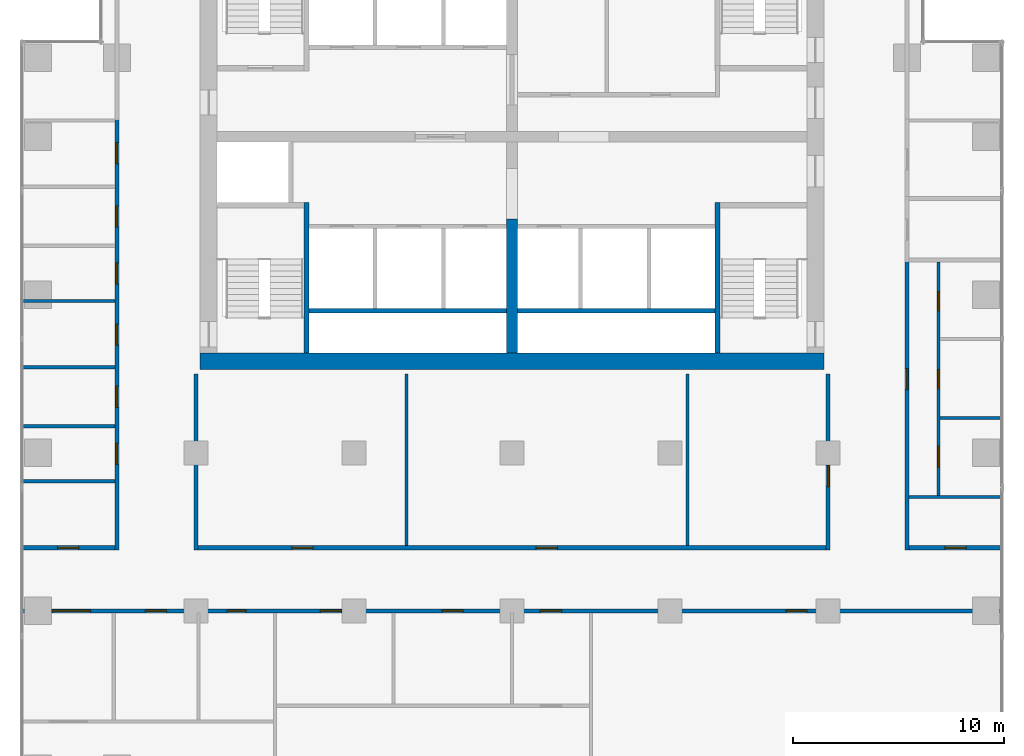
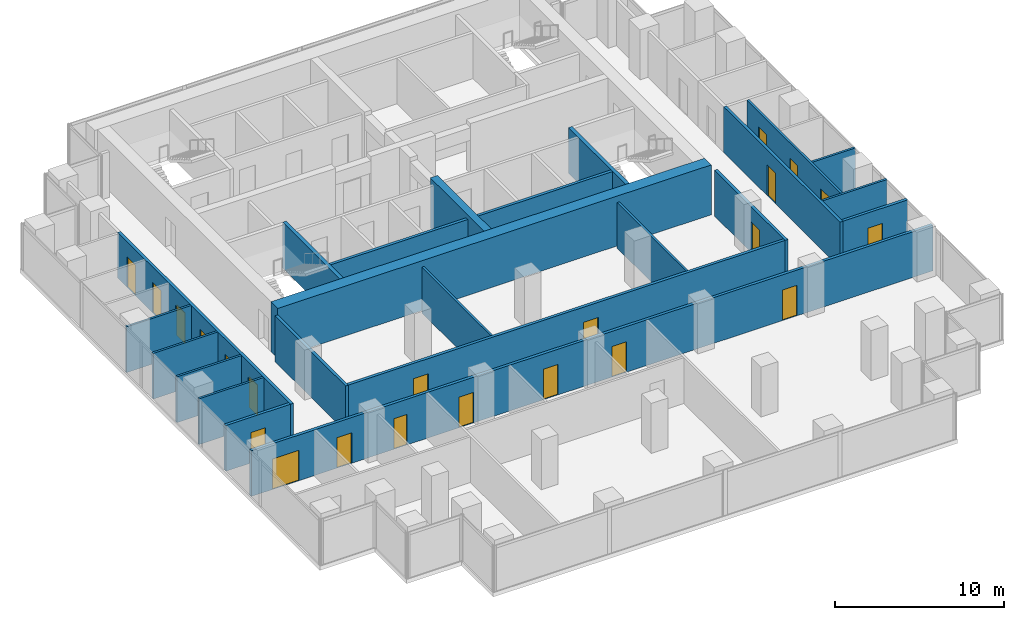
# One storey, part 7 of 10: 23 walls, 22 doors, 22 openings.
"""IFC4 building model written with IfcOpenShell, lengths in metres."""

from ifc_helpers import new_model, si_unit, direction, frame, frame_2d, origin, place, context, subcontext, project, spatial, rectangle, extrude, material, layer, layer_set, type_object, element, fill, save


model = new_model("IFC4")

# Units and contexts
model_context = context("Model", 3, precision=1e-05, world=origin(), true_north=direction((0.0, 1.0)))
body_context = subcontext(model_context, "Body", "Model", "MODEL_VIEW")
ifc_project = project(units=[si_unit("LENGTHUNIT", "METRE"), si_unit("AREAUNIT", "SQUARE_METRE"), si_unit("VOLUMEUNIT", "CUBIC_METRE"), si_unit("PLANEANGLEUNIT", "RADIAN"), si_unit("MASSUNIT", "GRAM", prefix="KILO")], contexts=[model_context])

# Site, building, storey
site_placement = place(None, origin())
site = spatial("IfcSite", under=ifc_project, at=site_placement, CompositionType="ELEMENT")
building_placement = place(site_placement, origin())
building = spatial("IfcBuilding", under=site, at=building_placement, Name="Pilkhan Gate Tower", CompositionType="ELEMENT")
storey_placement = place(building_placement, frame((0.0, 0.0, 128.800048828125)))
storey = spatial("IfcBuildingStorey", under=building, at=storey_placement, Name="L32", CompositionType="ELEMENT", Elevation=128.800048828125)

# Wall
ifc_material_1 = material(Name="Concrete C60/75", Category="concrete")
ifc_layer_1 = layer(ifc_material_1, 0.800048828125)
ifc_layer_set_1 = layer_set([ifc_layer_1], Name="Core wall CW800 C60/75")
wall_type_1 = type_object("IfcWallType", Name="Core wall CW800 C60/75", PredefinedType="SHEAR", material=ifc_layer_set_1)
wall_1_placement = place(storey_placement, frame((60.199951171875, 71.85009765625, 0.0), z_axis=(0.0, 0.0, 1.0), x_axis=(1.0, 0.0, 0.0)))
element("IfcWall", 1, at=wall_1_placement, inside=storey, type_object=wall_type_1, Name="Core wall S L32", PredefinedType="SHEAR", context=body_context, shape_type="SweptSolid", body=[
    extrude(rectangle(XDim=29.60009765625, YDim=0.800048828125, at=frame_2d((14.800048828125, 0.0))), origin(), (0.0, 0.0, 1.0), 3.599853515625),
])

# Wall, openings, doors
ifc_material_2 = material(Name="Dense blockwork", Category="masonry")
ifc_layer_2 = layer(ifc_material_2, 0.199951171875)
ifc_layer_set_2 = layer_set([ifc_layer_2], Name="Corridor wall FW200")
wall_type_2 = type_object("IfcWallType", Name="Corridor wall FW200", PredefinedType="PARTITIONING", material=ifc_layer_set_2)
wall_2_placement = place(storey_placement, frame((51.735107421875, 60.0, 0.0), z_axis=(0.0, 0.0, 1.0), x_axis=(1.0, 0.0, 0.0)))
wall_2 = element("IfcWall", 2, at=wall_2_placement, inside=storey, type_object=wall_type_2, Name="Partition L32", PredefinedType="PARTITIONING", context=body_context, shape_type="SweptSolid", body=[
    extrude(rectangle(XDim=46.52978515625, YDim=0.199951171875, at=frame_2d((23.264892578125, 0.0))), origin(), (0.0, 0.0, 1.0), 3.300048828125),
])
opening_1_placement = place(wall_2_placement, frame((24.614990234375, 0.0, 0.0)))
opening_1 = element("IfcOpeningElement", 3, at=opening_1_placement, cuts=wall_2, Name="Opening L32-06", PredefinedType="OPENING", context=body_context, shape_type="SweptSolid", body=[
    extrude(rectangle(XDim=1.0, YDim=2.199951171875, at=frame_2d((0.5, 1.10009765625))), frame((0.0, 0.10986328125, 0.0), z_axis=(0.0, -1.0, 0.0), x_axis=(1.0, 0.0, 0.0)), (0.0, 0.0, 1.0), 0.219970703125),
])
opening_2_placement = place(wall_2_placement, frame((1.449951171875, 0.0, 0.0)))
opening_2 = element("IfcOpeningElement", 4, at=opening_2_placement, cuts=wall_2, Name="Opening L32-17", PredefinedType="OPENING", context=body_context, shape_type="SweptSolid", body=[
    extrude(rectangle(XDim=1.800048828125, YDim=2.199951171875, at=frame_2d((0.89990234375, 1.10009765625))), frame((0.0, 0.10986328125, 0.0), z_axis=(0.0, -1.0, 0.0), x_axis=(1.0, 0.0, 0.0)), (0.0, 0.0, 1.0), 0.219970703125),
])
opening_3_placement = place(wall_2_placement, frame((5.864990234375, 0.0, 0.0)))
opening_3 = element("IfcOpeningElement", 5, at=opening_3_placement, cuts=wall_2, Name="Opening L32-18", PredefinedType="OPENING", context=body_context, shape_type="SweptSolid", body=[
    extrude(rectangle(XDim=1.0, YDim=2.199951171875, at=frame_2d((0.5, 1.10009765625))), frame((0.0, 0.10986328125, 0.0), z_axis=(0.0, -1.0, 0.0), x_axis=(1.0, 0.0, 0.0)), (0.0, 0.0, 1.0), 0.219970703125),
])
opening_4_placement = place(wall_2_placement, frame((9.740966796875, 0.0, 0.0)))
opening_4 = element("IfcOpeningElement", 6, at=opening_4_placement, cuts=wall_2, Name="Opening L32-19", PredefinedType="OPENING", context=body_context, shape_type="SweptSolid", body=[
    extrude(rectangle(XDim=0.89990234375, YDim=2.199951171875, at=frame_2d((0.449951171875, 1.10009765625))), frame((0.0, 0.10986328125, 0.0), z_axis=(0.0, -1.0, 0.0), x_axis=(1.0, 0.0, 0.0)), (0.0, 0.0, 1.0), 0.219970703125),
])
opening_5_placement = place(wall_2_placement, frame((14.1650390625, 0.0, 0.0)))
opening_5 = element("IfcOpeningElement", 7, at=opening_5_placement, cuts=wall_2, Name="Opening L32-21", PredefinedType="OPENING", context=body_context, shape_type="SweptSolid", body=[
    extrude(rectangle(XDim=1.0, YDim=2.199951171875, at=frame_2d((0.5, 1.10009765625))), frame((0.0, 0.10986328125, 0.0), z_axis=(0.0, -1.0, 0.0), x_axis=(1.0, 0.0, 0.0)), (0.0, 0.0, 1.0), 0.219970703125),
])
opening_6_placement = place(wall_2_placement, frame((19.93994140625, 0.0, 0.0)))
opening_6 = element("IfcOpeningElement", 8, at=opening_6_placement, cuts=wall_2, Name="Opening L32-22", PredefinedType="OPENING", context=body_context, shape_type="SweptSolid", body=[
    extrude(rectangle(XDim=1.0, YDim=2.199951171875, at=frame_2d((0.5, 1.10009765625))), frame((0.0, 0.10986328125, 0.0), z_axis=(0.0, -1.0, 0.0), x_axis=(1.0, 0.0, 0.0)), (0.0, 0.0, 1.0), 0.219970703125),
])
opening_7_placement = place(wall_2_placement, frame((36.264892578125, 0.0, 0.0)))
opening_7 = element("IfcOpeningElement", 9, at=opening_7_placement, cuts=wall_2, Name="Opening L32-24", PredefinedType="OPENING", context=body_context, shape_type="SweptSolid", body=[
    extrude(rectangle(XDim=1.0, YDim=2.199951171875, at=frame_2d((0.5, 1.10009765625))), frame((0.0, 0.10986328125, 0.0), z_axis=(0.0, -1.0, 0.0), x_axis=(1.0, 0.0, 0.0)), (0.0, 0.0, 1.0), 0.219970703125),
])
ifc_material_3 = material(Name="Timber glazed double door, 30 minute fire resisting", Category="wood")
door_type_1 = type_object("IfcDoorType", Name="Double door D04 1800x2200", OperationType="DOUBLE_DOOR_SINGLE_SWING", PredefinedType="DOOR", material=ifc_material_3)
door_1_placement = place(opening_2_placement, origin())
door_1 = element("IfcDoor", 10, at=door_1_placement, inside=storey, type_object=door_type_1, Name="Double door", OperationType="DOUBLE_DOOR_SINGLE_SWING", OverallHeight=2.199951171875, OverallWidth=1.800048828125, PredefinedType="DOOR", context=body_context, shape_type="SweptSolid", body=[
    extrude(rectangle(XDim=1.800048828125, YDim=2.199951171875, at=frame_2d((0.89990234375, 1.10009765625))), frame((0.0, 0.02490234375, 0.0), z_axis=(0.0, -1.0, 0.0), x_axis=(1.0, 0.0, 0.0)), (0.0, 0.0, 1.0), 0.050048828125),
])
fill(opening_2, door_1)
ifc_material_4 = material(Name="Timber flush door, 30 minute fire resisting", Category="wood")
door_type_2 = type_object("IfcDoorType", Name="Room door D03 1000x2200", OperationType="SINGLE_SWING_LEFT", PredefinedType="DOOR", material=ifc_material_4)
door_2_placement = place(opening_1_placement, origin())
door_2 = element("IfcDoor", 11, at=door_2_placement, inside=storey, type_object=door_type_2, Name="Room door", OperationType="SINGLE_SWING_RIGHT", OverallHeight=2.199951171875, OverallWidth=1.0, PredefinedType="DOOR", context=body_context, shape_type="SweptSolid", body=[
    extrude(rectangle(XDim=1.0, YDim=2.199951171875, at=frame_2d((0.5, 1.10009765625))), frame((0.0, 0.02490234375, 0.0), z_axis=(0.0, -1.0, 0.0), x_axis=(1.0, 0.0, 0.0)), (0.0, 0.0, 1.0), 0.050048828125),
])
fill(opening_1, door_2)
door_3_placement = place(opening_3_placement, origin())
door_3 = element("IfcDoor", 12, at=door_3_placement, inside=storey, type_object=door_type_2, Name="Room door", OperationType="SINGLE_SWING_LEFT", OverallHeight=2.199951171875, OverallWidth=1.0, PredefinedType="DOOR", context=body_context, shape_type="SweptSolid", body=[
    extrude(rectangle(XDim=1.0, YDim=2.199951171875, at=frame_2d((0.5, 1.10009765625))), frame((0.0, 0.02490234375, 0.0), z_axis=(0.0, -1.0, 0.0), x_axis=(1.0, 0.0, 0.0)), (0.0, 0.0, 1.0), 0.050048828125),
])
fill(opening_3, door_3)
door_4_placement = place(opening_5_placement, origin())
door_4 = element("IfcDoor", 13, at=door_4_placement, inside=storey, type_object=door_type_2, Name="Room door", OperationType="SINGLE_SWING_LEFT", OverallHeight=2.199951171875, OverallWidth=1.0, PredefinedType="DOOR", context=body_context, shape_type="SweptSolid", body=[
    extrude(rectangle(XDim=1.0, YDim=2.199951171875, at=frame_2d((0.5, 1.10009765625))), frame((0.0, 0.02490234375, 0.0), z_axis=(0.0, -1.0, 0.0), x_axis=(1.0, 0.0, 0.0)), (0.0, 0.0, 1.0), 0.050048828125),
])
fill(opening_5, door_4)
door_5_placement = place(opening_6_placement, origin())
door_5 = element("IfcDoor", 14, at=door_5_placement, inside=storey, type_object=door_type_2, Name="Room door", OperationType="SINGLE_SWING_LEFT", OverallHeight=2.199951171875, OverallWidth=1.0, PredefinedType="DOOR", context=body_context, shape_type="SweptSolid", body=[
    extrude(rectangle(XDim=1.0, YDim=2.199951171875, at=frame_2d((0.5, 1.10009765625))), frame((0.0, 0.02490234375, 0.0), z_axis=(0.0, -1.0, 0.0), x_axis=(1.0, 0.0, 0.0)), (0.0, 0.0, 1.0), 0.050048828125),
])
fill(opening_6, door_5)
door_6_placement = place(opening_7_placement, origin())
door_6 = element("IfcDoor", 15, at=door_6_placement, inside=storey, type_object=door_type_2, Name="Room door", OperationType="SINGLE_SWING_RIGHT", OverallHeight=2.199951171875, OverallWidth=1.0, PredefinedType="DOOR", context=body_context, shape_type="SweptSolid", body=[
    extrude(rectangle(XDim=1.0, YDim=2.199951171875, at=frame_2d((0.5, 1.10009765625))), frame((0.0, 0.02490234375, 0.0), z_axis=(0.0, -1.0, 0.0), x_axis=(1.0, 0.0, 0.0)), (0.0, 0.0, 1.0), 0.050048828125),
])
fill(opening_7, door_6)
ifc_material_5 = material(Name="Timber flush door, 60 minute fire resisting, self-closing", Category="wood")
door_type_3 = type_object("IfcDoorType", Name="Store door D05 900x2200", OperationType="SINGLE_SWING_LEFT", PredefinedType="DOOR", material=ifc_material_5)
door_7_placement = place(opening_4_placement, origin())
door_7 = element("IfcDoor", 16, at=door_7_placement, inside=storey, type_object=door_type_3, Name="Store door", OperationType="SINGLE_SWING_LEFT", OverallHeight=2.199951171875, OverallWidth=0.89990234375, PredefinedType="DOOR", context=body_context, shape_type="SweptSolid", body=[
    extrude(rectangle(XDim=0.89990234375, YDim=2.199951171875, at=frame_2d((0.449951171875, 1.10009765625))), frame((0.0, 0.02490234375, 0.0), z_axis=(0.0, -1.0, 0.0), x_axis=(1.0, 0.0, 0.0)), (0.0, 0.0, 1.0), 0.050048828125),
])
fill(opening_4, door_7)

# Wall, opening, door
wall_3_placement = place(storey_placement, frame((51.735107421875, 63.0, 0.0), z_axis=(0.0, 0.0, 1.0), x_axis=(1.0, 0.0, 0.0)))
wall_3 = element("IfcWall", 17, at=wall_3_placement, inside=storey, type_object=wall_type_2, Name="Partition L32", PredefinedType="PARTITIONING", context=body_context, shape_type="SweptSolid", body=[
    extrude(rectangle(XDim=4.414794921875, YDim=0.199951171875, at=frame_2d((2.20751953125, 0.0))), origin(), (0.0, 0.0, 1.0), 3.300048828125),
])
opening_8_placement = place(wall_3_placement, frame((1.699951171875, 0.0, 0.0)))
opening_8 = element("IfcOpeningElement", 18, at=opening_8_placement, cuts=wall_3, Name="Opening L32-07", PredefinedType="OPENING", context=body_context, shape_type="SweptSolid", body=[
    extrude(rectangle(XDim=1.0, YDim=2.199951171875, at=frame_2d((0.5, 1.10009765625))), frame((0.0, 0.10986328125, 0.0), z_axis=(0.0, -1.0, 0.0), x_axis=(1.0, 0.0, 0.0)), (0.0, 0.0, 1.0), 0.219970703125),
])
door_8_placement = place(opening_8_placement, origin())
door_8 = element("IfcDoor", 19, at=door_8_placement, inside=storey, type_object=door_type_2, Name="Room door", OperationType="SINGLE_SWING_RIGHT", OverallHeight=2.199951171875, OverallWidth=1.0, PredefinedType="DOOR", context=body_context, shape_type="SweptSolid", body=[
    extrude(rectangle(XDim=1.0, YDim=2.199951171875, at=frame_2d((0.5, 1.10009765625))), frame((0.0, 0.02490234375, 0.0), z_axis=(0.0, -1.0, 0.0), x_axis=(1.0, 0.0, 0.0)), (0.0, 0.0, 1.0), 0.050048828125),
])
fill(opening_8, door_8)

# Wall, openings, doors
wall_4_placement = place(storey_placement, frame((60.10009765625, 63.0, 0.0), z_axis=(0.0, 0.0, 1.0), x_axis=(1.0, 0.0, 0.0)))
wall_4 = element("IfcWall", 20, at=wall_4_placement, inside=storey, type_object=wall_type_2, Name="Partition L32", PredefinedType="PARTITIONING", context=body_context, shape_type="SweptSolid", body=[
    extrude(rectangle(XDim=29.7998046875, YDim=0.199951171875, at=frame_2d((14.89990234375, 0.0))), origin(), (0.0, 0.0, 1.0), 3.300048828125),
])
opening_9_placement = place(wall_4_placement, frame((4.449951171875, 0.0, 0.0)))
opening_9 = element("IfcOpeningElement", 21, at=opening_9_placement, cuts=wall_4, Name="Opening L32-34", PredefinedType="OPENING", context=body_context, shape_type="SweptSolid", body=[
    extrude(rectangle(XDim=1.0, YDim=2.199951171875, at=frame_2d((0.5, 1.10009765625))), frame((0.0, 0.10986328125, 0.0), z_axis=(0.0, -1.0, 0.0), x_axis=(1.0, 0.0, 0.0)), (0.0, 0.0, 1.0), 0.219970703125),
])
opening_10_placement = place(wall_4_placement, frame((16.050048828125, 0.0, 0.0)))
opening_10 = element("IfcOpeningElement", 22, at=opening_10_placement, cuts=wall_4, Name="Opening L32-35", PredefinedType="OPENING", context=body_context, shape_type="SweptSolid", body=[
    extrude(rectangle(XDim=1.0, YDim=2.199951171875, at=frame_2d((0.5, 1.10009765625))), frame((0.0, 0.10986328125, 0.0), z_axis=(0.0, -1.0, 0.0), x_axis=(1.0, 0.0, 0.0)), (0.0, 0.0, 1.0), 0.219970703125),
])
door_9_placement = place(opening_9_placement, origin())
door_9 = element("IfcDoor", 23, at=door_9_placement, inside=storey, type_object=door_type_2, Name="Room door", OperationType="SINGLE_SWING_LEFT", OverallHeight=2.199951171875, OverallWidth=1.0, PredefinedType="DOOR", context=body_context, shape_type="SweptSolid", body=[
    extrude(rectangle(XDim=1.0, YDim=2.199951171875, at=frame_2d((0.5, 1.10009765625))), frame((0.0, 0.02490234375, 0.0), z_axis=(0.0, -1.0, 0.0), x_axis=(1.0, 0.0, 0.0)), (0.0, 0.0, 1.0), 0.050048828125),
])
fill(opening_9, door_9)
door_10_placement = place(opening_10_placement, origin())
door_10 = element("IfcDoor", 24, at=door_10_placement, inside=storey, type_object=door_type_2, Name="Room door", OperationType="SINGLE_SWING_LEFT", OverallHeight=2.199951171875, OverallWidth=1.0, PredefinedType="DOOR", context=body_context, shape_type="SweptSolid", body=[
    extrude(rectangle(XDim=1.0, YDim=2.199951171875, at=frame_2d((0.5, 1.10009765625))), frame((0.0, 0.02490234375, 0.0), z_axis=(0.0, -1.0, 0.0), x_axis=(1.0, 0.0, 0.0)), (0.0, 0.0, 1.0), 0.050048828125),
])
fill(opening_10, door_10)

# Wall, opening, door
wall_5_placement = place(storey_placement, frame((93.85009765625, 63.0, 0.0), z_axis=(0.0, 0.0, 1.0), x_axis=(1.0, 0.0, 0.0)))
wall_5 = element("IfcWall", 25, at=wall_5_placement, inside=storey, type_object=wall_type_2, Name="Partition L32", PredefinedType="PARTITIONING", context=body_context, shape_type="SweptSolid", body=[
    extrude(rectangle(XDim=4.414794921875, YDim=0.199951171875, at=frame_2d((2.20751953125, 0.0))), origin(), (0.0, 0.0, 1.0), 3.300048828125),
])
opening_11_placement = place(wall_5_placement, frame((1.699951171875, 0.0, 0.0)))
opening_11 = element("IfcOpeningElement", 26, at=opening_11_placement, cuts=wall_5, Name="Opening L32-32", PredefinedType="OPENING", context=body_context, shape_type="SweptSolid", body=[
    extrude(rectangle(XDim=1.0, YDim=2.199951171875, at=frame_2d((0.5, 1.10009765625))), frame((0.0, 0.10986328125, 0.0), z_axis=(0.0, -1.0, 0.0), x_axis=(1.0, 0.0, 0.0)), (0.0, 0.0, 1.0), 0.219970703125),
])
door_11_placement = place(opening_11_placement, origin())
door_11 = element("IfcDoor", 27, at=door_11_placement, inside=storey, type_object=door_type_2, Name="Room door", OperationType="SINGLE_SWING_LEFT", OverallHeight=2.199951171875, OverallWidth=1.0, PredefinedType="DOOR", context=body_context, shape_type="SweptSolid", body=[
    extrude(rectangle(XDim=1.0, YDim=2.199951171875, at=frame_2d((0.5, 1.10009765625))), frame((0.0, 0.02490234375, 0.0), z_axis=(0.0, -1.0, 0.0), x_axis=(1.0, 0.0, 0.0)), (0.0, 0.0, 1.0), 0.050048828125),
])
fill(opening_11, door_11)

# Wall, openings, doors
wall_6_placement = place(storey_placement, frame((56.25, 62.89990234375, 0.0), z_axis=(0.0, 0.0, 1.0), x_axis=(0.0, 1.0, 0.0)))
wall_6 = element("IfcWall", 28, at=wall_6_placement, inside=storey, type_object=wall_type_2, Name="Partition L32", PredefinedType="PARTITIONING", context=body_context, shape_type="SweptSolid", body=[
    extrude(rectangle(XDim=20.455078125, YDim=0.199951171875, at=frame_2d((10.2275390625, 0.0))), origin(), (0.0, 0.0, 1.0), 3.300048828125),
])
opening_12_placement = place(wall_6_placement, frame((9.715087890625, 0.0, 0.0)))
opening_12 = element("IfcOpeningElement", 29, at=opening_12_placement, cuts=wall_6, Name="Opening L32-08", PredefinedType="OPENING", context=body_context, shape_type="SweptSolid", body=[
    extrude(rectangle(XDim=1.0, YDim=2.199951171875, at=frame_2d((0.5, 1.10009765625))), frame((0.0, 0.10986328125, 0.0), z_axis=(0.0, -1.0, 0.0), x_axis=(1.0, 0.0, 0.0)), (0.0, 0.0, 1.0), 0.219970703125),
])
opening_13_placement = place(wall_6_placement, frame((18.3291015625, 0.0, 0.0)))
opening_13 = element("IfcOpeningElement", 30, at=opening_13_placement, cuts=wall_6, Name="Opening L32-09", PredefinedType="OPENING", context=body_context, shape_type="SweptSolid", body=[
    extrude(rectangle(XDim=1.0, YDim=2.199951171875, at=frame_2d((0.5, 1.10009765625))), frame((0.0, 0.10986328125, 0.0), z_axis=(0.0, -1.0, 0.0), x_axis=(1.0, 0.0, 0.0)), (0.0, 0.0, 1.0), 0.219970703125),
])
opening_14_placement = place(wall_6_placement, frame((4.051025390625, 0.0, 0.0)))
opening_14 = element("IfcOpeningElement", 31, at=opening_14_placement, cuts=wall_6, Name="Opening L32-25", PredefinedType="OPENING", context=body_context, shape_type="SweptSolid", body=[
    extrude(rectangle(XDim=1.0, YDim=2.199951171875, at=frame_2d((0.5, 1.10009765625))), frame((0.0, 0.10986328125, 0.0), z_axis=(0.0, -1.0, 0.0), x_axis=(1.0, 0.0, 0.0)), (0.0, 0.0, 1.0), 0.219970703125),
])
opening_15_placement = place(wall_6_placement, frame((6.763916015625, 0.0, 0.0)))
opening_15 = element("IfcOpeningElement", 32, at=opening_15_placement, cuts=wall_6, Name="Opening L32-26", PredefinedType="OPENING", context=body_context, shape_type="SweptSolid", body=[
    extrude(rectangle(XDim=1.0, YDim=2.199951171875, at=frame_2d((0.5, 1.10009765625))), frame((0.0, 0.10986328125, 0.0), z_axis=(0.0, -1.0, 0.0), x_axis=(1.0, 0.0, 0.0)), (0.0, 0.0, 1.0), 0.219970703125),
])
opening_16_placement = place(wall_6_placement, frame((12.614990234375, 0.0, 0.0)))
opening_16 = element("IfcOpeningElement", 33, at=opening_16_placement, cuts=wall_6, Name="Opening L32-27", PredefinedType="OPENING", context=body_context, shape_type="SweptSolid", body=[
    extrude(rectangle(XDim=1.0, YDim=2.199951171875, at=frame_2d((0.5, 1.10009765625))), frame((0.0, 0.10986328125, 0.0), z_axis=(0.0, -1.0, 0.0), x_axis=(1.0, 0.0, 0.0)), (0.0, 0.0, 1.0), 0.219970703125),
])
opening_17_placement = place(wall_6_placement, frame((15.3291015625, 0.0, 0.0)))
opening_17 = element("IfcOpeningElement", 34, at=opening_17_placement, cuts=wall_6, Name="Opening L32-28", PredefinedType="OPENING", context=body_context, shape_type="SweptSolid", body=[
    extrude(rectangle(XDim=1.0, YDim=2.199951171875, at=frame_2d((0.5, 1.10009765625))), frame((0.0, 0.10986328125, 0.0), z_axis=(0.0, -1.0, 0.0), x_axis=(1.0, 0.0, 0.0)), (0.0, 0.0, 1.0), 0.219970703125),
])
door_12_placement = place(opening_12_placement, origin())
door_12 = element("IfcDoor", 35, at=door_12_placement, inside=storey, type_object=door_type_2, Name="Room door", OperationType="SINGLE_SWING_LEFT", OverallHeight=2.199951171875, OverallWidth=1.0, PredefinedType="DOOR", context=body_context, shape_type="SweptSolid", body=[
    extrude(rectangle(XDim=1.0, YDim=2.199951171875, at=frame_2d((0.5, 1.10009765625))), frame((0.0, 0.02490234375, 0.0), z_axis=(0.0, -1.0, 0.0), x_axis=(1.0, 0.0, 0.0)), (0.0, 0.0, 1.0), 0.050048828125),
])
fill(opening_12, door_12)
door_13_placement = place(opening_13_placement, origin())
door_13 = element("IfcDoor", 36, at=door_13_placement, inside=storey, type_object=door_type_2, Name="Room door", OperationType="SINGLE_SWING_LEFT", OverallHeight=2.199951171875, OverallWidth=1.0, PredefinedType="DOOR", context=body_context, shape_type="SweptSolid", body=[
    extrude(rectangle(XDim=1.0, YDim=2.199951171875, at=frame_2d((0.5, 1.10009765625))), frame((0.0, 0.02490234375, 0.0), z_axis=(0.0, -1.0, 0.0), x_axis=(1.0, 0.0, 0.0)), (0.0, 0.0, 1.0), 0.050048828125),
])
fill(opening_13, door_13)
door_14_placement = place(opening_14_placement, origin())
door_14 = element("IfcDoor", 37, at=door_14_placement, inside=storey, type_object=door_type_2, Name="Room door", OperationType="SINGLE_SWING_LEFT", OverallHeight=2.199951171875, OverallWidth=1.0, PredefinedType="DOOR", context=body_context, shape_type="SweptSolid", body=[
    extrude(rectangle(XDim=1.0, YDim=2.199951171875, at=frame_2d((0.5, 1.10009765625))), frame((0.0, 0.02490234375, 0.0), z_axis=(0.0, -1.0, 0.0), x_axis=(1.0, 0.0, 0.0)), (0.0, 0.0, 1.0), 0.050048828125),
])
fill(opening_14, door_14)
door_15_placement = place(opening_15_placement, origin())
door_15 = element("IfcDoor", 38, at=door_15_placement, inside=storey, type_object=door_type_2, Name="Room door", OperationType="SINGLE_SWING_LEFT", OverallHeight=2.199951171875, OverallWidth=1.0, PredefinedType="DOOR", context=body_context, shape_type="SweptSolid", body=[
    extrude(rectangle(XDim=1.0, YDim=2.199951171875, at=frame_2d((0.5, 1.10009765625))), frame((0.0, 0.02490234375, 0.0), z_axis=(0.0, -1.0, 0.0), x_axis=(1.0, 0.0, 0.0)), (0.0, 0.0, 1.0), 0.050048828125),
])
fill(opening_15, door_15)
door_16_placement = place(opening_16_placement, origin())
door_16 = element("IfcDoor", 39, at=door_16_placement, inside=storey, type_object=door_type_2, Name="Room door", OperationType="SINGLE_SWING_LEFT", OverallHeight=2.199951171875, OverallWidth=1.0, PredefinedType="DOOR", context=body_context, shape_type="SweptSolid", body=[
    extrude(rectangle(XDim=1.0, YDim=2.199951171875, at=frame_2d((0.5, 1.10009765625))), frame((0.0, 0.02490234375, 0.0), z_axis=(0.0, -1.0, 0.0), x_axis=(1.0, 0.0, 0.0)), (0.0, 0.0, 1.0), 0.050048828125),
])
fill(opening_16, door_16)
door_17_placement = place(opening_17_placement, origin())
door_17 = element("IfcDoor", 40, at=door_17_placement, inside=storey, type_object=door_type_2, Name="Room door", OperationType="SINGLE_SWING_LEFT", OverallHeight=2.199951171875, OverallWidth=1.0, PredefinedType="DOOR", context=body_context, shape_type="SweptSolid", body=[
    extrude(rectangle(XDim=1.0, YDim=2.199951171875, at=frame_2d((0.5, 1.10009765625))), frame((0.0, 0.02490234375, 0.0), z_axis=(0.0, -1.0, 0.0), x_axis=(1.0, 0.0, 0.0)), (0.0, 0.0, 1.0), 0.050048828125),
])
fill(opening_17, door_17)

# Wall
wall_7_placement = place(storey_placement, frame((60.0, 62.89990234375, 0.0), z_axis=(0.0, 0.0, 1.0), x_axis=(0.0, 1.0, 0.0)))
element("IfcWall", 41, at=wall_7_placement, inside=storey, type_object=wall_type_2, Name="Partition L32", PredefinedType="PARTITIONING", context=body_context, shape_type="SweptSolid", body=[
    extrude(rectangle(XDim=8.35009765625, YDim=0.199951171875, at=frame_2d((4.175048828125, 0.0))), origin(), (0.0, 0.0, 1.0), 3.300048828125),
])

# Wall, opening, door
wall_8_placement = place(storey_placement, frame((90.0, 62.89990234375, 0.0), z_axis=(0.0, 0.0, 1.0), x_axis=(0.0, 1.0, 0.0)))
wall_8 = element("IfcWall", 42, at=wall_8_placement, inside=storey, type_object=wall_type_2, Name="Partition L32", PredefinedType="PARTITIONING", context=body_context, shape_type="SweptSolid", body=[
    extrude(rectangle(XDim=8.35009765625, YDim=0.199951171875, at=frame_2d((4.175048828125, 0.0))), origin(), (0.0, 0.0, 1.0), 3.300048828125),
])
opening_18_placement = place(wall_8_placement, frame((3.0, 0.0, 0.0)))
opening_18 = element("IfcOpeningElement", 43, at=opening_18_placement, cuts=wall_8, Name="Opening L32-36", PredefinedType="OPENING", context=body_context, shape_type="SweptSolid", body=[
    extrude(rectangle(XDim=1.0, YDim=2.199951171875, at=frame_2d((0.5, 1.10009765625))), frame((0.0, 0.10986328125, 0.0), z_axis=(0.0, -1.0, 0.0), x_axis=(1.0, 0.0, 0.0)), (0.0, 0.0, 1.0), 0.219970703125),
])
door_18_placement = place(opening_18_placement, origin())
door_18 = element("IfcDoor", 44, at=door_18_placement, inside=storey, type_object=door_type_2, Name="Room door", OperationType="SINGLE_SWING_RIGHT", OverallHeight=2.199951171875, OverallWidth=1.0, PredefinedType="DOOR", context=body_context, shape_type="SweptSolid", body=[
    extrude(rectangle(XDim=1.0, YDim=2.199951171875, at=frame_2d((0.5, 1.10009765625))), frame((0.0, 0.02490234375, 0.0), z_axis=(0.0, -1.0, 0.0), x_axis=(1.0, 0.0, 0.0)), (0.0, 0.0, 1.0), 0.050048828125),
])
fill(opening_18, door_18)

wall_9_placement = place(storey_placement, frame((93.75, 62.89990234375, 0.0), z_axis=(0.0, 0.0, 1.0), x_axis=(0.0, 1.0, 0.0)))
wall_9 = element("IfcWall", 45, at=wall_9_placement, inside=storey, type_object=wall_type_2, Name="Partition L32", PredefinedType="PARTITIONING", context=body_context, shape_type="SweptSolid", body=[
    extrude(rectangle(XDim=13.75, YDim=0.199951171875, at=frame_2d((6.875, 0.0))), origin(), (0.0, 0.0, 1.0), 3.300048828125),
])
opening_19_placement = place(wall_9_placement, frame((7.60009765625, 0.0, 0.0)))
opening_19 = element("IfcOpeningElement", 46, at=opening_19_placement, cuts=wall_9, Name="Opening L32-10", PredefinedType="OPENING", context=body_context, shape_type="SweptSolid", body=[
    extrude(rectangle(XDim=1.0, YDim=2.199951171875, at=frame_2d((0.5, 1.10009765625))), frame((0.0, 0.10986328125, 0.0), z_axis=(0.0, -1.0, 0.0), x_axis=(1.0, 0.0, 0.0)), (0.0, 0.0, 1.0), 0.219970703125),
])
door_19_placement = place(opening_19_placement, origin())
door_19 = element("IfcDoor", 47, at=door_19_placement, inside=storey, type_object=door_type_2, Name="Toilet lobby door", OperationType="SINGLE_SWING_LEFT", OverallHeight=2.199951171875, OverallWidth=1.0, PredefinedType="DOOR", context=body_context, shape_type="SweptSolid", body=[
    extrude(rectangle(XDim=1.0, YDim=2.199951171875, at=frame_2d((0.5, 1.10009765625))), frame((0.0, 0.02490234375, 0.0), z_axis=(0.0, -1.0, 0.0), x_axis=(1.0, 0.0, 0.0)), (0.0, 0.0, 1.0), 0.050048828125),
])
fill(opening_19, door_19)

# Walls
ifc_material_6 = material(Name="Blockwork partition, plastered both sides", Category="masonry")
ifc_layer_3 = layer(ifc_material_6, 0.14990234375)
ifc_layer_set_3 = layer_set([ifc_layer_3], Name="Partition PW150")
wall_type_3 = type_object("IfcWallType", Name="Partition PW150", PredefinedType="PARTITIONING", material=ifc_layer_set_3)
for number, where, z_axis, x_axis, name in (
    (48, (93.85009765625, 65.39990234375, 0.0), (0.0, 0.0, 1.0), (1.0, 0.0, 0.0), "Partition L32"),
    (49, (51.735107421875, 66.15087890625, 0.0), (0.0, 0.0, 1.0), (1.0, 0.0, 0.0), "Partition L32"),
    (50, (51.735107421875, 68.763916015625, 0.0), (0.0, 0.0, 1.0), (1.0, 0.0, 0.0), "Partition L32"),
):
    element("IfcWall", number, at=place(storey_placement, frame(where, z_axis=z_axis, x_axis=x_axis)), inside=storey, type_object=wall_type_3, Name=name, PredefinedType="PARTITIONING", context=body_context, shape_type="SweptSolid", body=[
        extrude(rectangle(XDim=4.414794921875, YDim=0.14990234375, at=frame_2d((2.20751953125, 0.0))), origin(), (0.0, 0.0, 1.0), 3.300048828125),
    ])
wall_10_placement = place(storey_placement, frame((95.324951171875, 69.14990234375, 0.0), z_axis=(0.0, 0.0, 1.0), x_axis=(1.0, 0.0, 0.0)))
element("IfcWall", 51, at=wall_10_placement, inside=storey, type_object=wall_type_3, Name="Partition L32", PredefinedType="PARTITIONING", context=body_context, shape_type="SweptSolid", body=[
    extrude(rectangle(XDim=2.93994140625, YDim=0.14990234375, at=frame_2d((1.469970703125, 0.0))), origin(), (0.0, 0.0, 1.0), 3.300048828125),
])
for number, where, z_axis, x_axis, name in (
    (52, (51.735107421875, 71.56494140625, 0.0), (0.0, 0.0, 1.0), (1.0, 0.0, 0.0), "Partition L32"),
    (53, (51.735107421875, 74.715087890625, 0.0), (0.0, 0.0, 1.0), (1.0, 0.0, 0.0), "Partition L32"),
):
    element("IfcWall", number, at=place(storey_placement, frame(where, z_axis=z_axis, x_axis=x_axis)), inside=storey, type_object=wall_type_3, Name=name, PredefinedType="PARTITIONING", context=body_context, shape_type="SweptSolid", body=[
        extrude(rectangle(XDim=4.414794921875, YDim=0.14990234375, at=frame_2d((2.20751953125, 0.0))), origin(), (0.0, 0.0, 1.0), 3.300048828125),
    ])
for number, where, z_axis, x_axis, name in (
    (54, (70.0, 63.10009765625, 0.0), (0.0, 0.0, 1.0), (0.0, 1.0, 0.0), "Partition L32"),
    (55, (83.3330078125, 63.10009765625, 0.0), (0.0, 0.0, 1.0), (0.0, 1.0, 0.0), "Partition L32"),
):
    element("IfcWall", number, at=place(storey_placement, frame(where, z_axis=z_axis, x_axis=x_axis)), inside=storey, type_object=wall_type_3, Name=name, PredefinedType="PARTITIONING", context=body_context, shape_type="SweptSolid", body=[
        extrude(rectangle(XDim=8.14990234375, YDim=0.14990234375, at=frame_2d((4.074951171875, 0.0))), origin(), (0.0, 0.0, 1.0), 3.300048828125),
    ])

# Wall, openings, doors
wall_11_placement = place(storey_placement, frame((95.25, 65.47509765625, 0.0), z_axis=(0.0, 0.0, 1.0), x_axis=(0.0, 1.0, 0.0)))
wall_11 = element("IfcWall", 56, at=wall_11_placement, inside=storey, type_object=wall_type_3, Name="Partition L32", PredefinedType="PARTITIONING", context=body_context, shape_type="SweptSolid", body=[
    extrude(rectangle(XDim=11.074951171875, YDim=0.14990234375, at=frame_2d((5.53759765625, 0.0))), origin(), (0.0, 0.0, 1.0), 3.300048828125),
])
opening_20_placement = place(wall_11_placement, frame((1.35009765625, 0.0, 0.0)))
opening_20 = element("IfcOpeningElement", 57, at=opening_20_placement, cuts=wall_11, Name="Opening L32-29", PredefinedType="OPENING", context=body_context, shape_type="SweptSolid", body=[
    extrude(rectangle(XDim=1.0, YDim=2.199951171875, at=frame_2d((0.5, 1.10009765625))), frame((0.0, 0.0849609375, 0.0), z_axis=(0.0, -1.0, 0.0), x_axis=(1.0, 0.0, 0.0)), (0.0, 0.0, 1.0), 0.169921875),
])
opening_21_placement = place(wall_11_placement, frame((5.074951171875, 0.0, 0.0)))
opening_21 = element("IfcOpeningElement", 58, at=opening_21_placement, cuts=wall_11, Name="Opening L32-30", PredefinedType="OPENING", context=body_context, shape_type="SweptSolid", body=[
    extrude(rectangle(XDim=0.89990234375, YDim=2.199951171875, at=frame_2d((0.449951171875, 1.10009765625))), frame((0.0, 0.0849609375, 0.0), z_axis=(0.0, -1.0, 0.0), x_axis=(1.0, 0.0, 0.0)), (0.0, 0.0, 1.0), 0.169921875),
])
opening_22_placement = place(wall_11_placement, frame((8.77490234375, 0.0, 0.0)))
opening_22 = element("IfcOpeningElement", 59, at=opening_22_placement, cuts=wall_11, Name="Opening L32-31", PredefinedType="OPENING", context=body_context, shape_type="SweptSolid", body=[
    extrude(rectangle(XDim=0.89990234375, YDim=2.199951171875, at=frame_2d((0.449951171875, 1.10009765625))), frame((0.0, 0.0849609375, 0.0), z_axis=(0.0, -1.0, 0.0), x_axis=(1.0, 0.0, 0.0)), (0.0, 0.0, 1.0), 0.169921875),
])
ifc_material_7 = material(Name="Timber flush door, outward opening, 30 minute fire resisting", Category="wood")
door_type_4 = type_object("IfcDoorType", Name="Accessible toilet door D07 1000x2200", OperationType="SINGLE_SWING_LEFT", PredefinedType="DOOR", material=ifc_material_7)
door_20_placement = place(opening_20_placement, origin())
door_20 = element("IfcDoor", 60, at=door_20_placement, inside=storey, type_object=door_type_4, Name="Accessible toilet door", OperationType="SINGLE_SWING_RIGHT", OverallHeight=2.199951171875, OverallWidth=1.0, PredefinedType="DOOR", context=body_context, shape_type="SweptSolid", body=[
    extrude(rectangle(XDim=1.0, YDim=2.199951171875, at=frame_2d((0.5, 1.10009765625))), frame((0.0, 0.02490234375, 0.0), z_axis=(0.0, -1.0, 0.0), x_axis=(1.0, 0.0, 0.0)), (0.0, 0.0, 1.0), 0.050048828125),
])
fill(opening_20, door_20)
door_type_5 = type_object("IfcDoorType", Name="Toilet door D06 900x2200", OperationType="SINGLE_SWING_LEFT", PredefinedType="DOOR", material=ifc_material_4)
door_21_placement = place(opening_21_placement, origin())
door_21 = element("IfcDoor", 61, at=door_21_placement, inside=storey, type_object=door_type_5, Name="Toilet door", OperationType="SINGLE_SWING_LEFT", OverallHeight=2.199951171875, OverallWidth=0.89990234375, PredefinedType="DOOR", context=body_context, shape_type="SweptSolid", body=[
    extrude(rectangle(XDim=0.89990234375, YDim=2.199951171875, at=frame_2d((0.449951171875, 1.10009765625))), frame((0.0, 0.02490234375, 0.0), z_axis=(0.0, -1.0, 0.0), x_axis=(1.0, 0.0, 0.0)), (0.0, 0.0, 1.0), 0.050048828125),
])
fill(opening_21, door_21)
door_22_placement = place(opening_22_placement, origin())
door_22 = element("IfcDoor", 62, at=door_22_placement, inside=storey, type_object=door_type_5, Name="Toilet door", OperationType="SINGLE_SWING_RIGHT", OverallHeight=2.199951171875, OverallWidth=0.89990234375, PredefinedType="DOOR", context=body_context, shape_type="SweptSolid", body=[
    extrude(rectangle(XDim=0.89990234375, YDim=2.199951171875, at=frame_2d((0.449951171875, 1.10009765625))), frame((0.0, 0.02490234375, 0.0), z_axis=(0.0, -1.0, 0.0), x_axis=(1.0, 0.0, 0.0)), (0.0, 0.0, 1.0), 0.050048828125),
])
fill(opening_22, door_22)

# Walls
ifc_material_8 = material(Name="Reinforced blockwork shaft wall, 120 minute fire resisting", Category="masonry")
ifc_layer_4 = layer(ifc_material_8, 0.199951171875)
ifc_layer_set_4 = layer_set([ifc_layer_4], Name="Shaft wall SW200")
wall_type_4 = type_object("IfcWallType", Name="Shaft wall SW200", PredefinedType="PARTITIONING", material=ifc_layer_set_4)
for number, where, z_axis, x_axis, name in (
    (63, (65.375, 74.25, 0.0), (0.0, 0.0, 1.0), (1.0, 0.0, 0.0), "Partition L32"),
    (64, (75.260009765625, 74.25, 0.0), (0.0, 0.0, 1.0), (1.0, 0.0, 0.0), "Partition L32"),
):
    element("IfcWall", number, at=place(storey_placement, frame(where, z_axis=z_axis, x_axis=x_axis)), inside=storey, type_object=wall_type_4, Name=name, PredefinedType="PARTITIONING", context=body_context, shape_type="SweptSolid", body=[
        extrude(rectangle(XDim=9.364990234375, YDim=0.199951171875, at=frame_2d((4.6826171875, 0.0))), origin(), (0.0, 0.0, 1.0), 3.300048828125),
    ])
ifc_layer_5 = layer(ifc_material_1, 0.5)
ifc_layer_set_5 = layer_set([ifc_layer_5], Name="Spine wall SW500 C60/75")
wall_type_5 = type_object("IfcWallType", Name="Spine wall SW500 C60/75", PredefinedType="SHEAR", material=ifc_layer_set_5)
wall_12_placement = place(storey_placement, frame((75.0, 72.25, 0.0), z_axis=(0.0, 0.0, 1.0), x_axis=(0.0, 1.0, 0.0)))
element("IfcWall", 65, at=wall_12_placement, inside=storey, type_object=wall_type_5, Name="Spine wall SP-NS-S1 L32", PredefinedType="SHEAR", context=body_context, shape_type="SweptSolid", body=[
    extrude(rectangle(XDim=6.35009765625, YDim=0.5, at=frame_2d((3.175048828125, 0.0))), origin(), (0.0, 0.0, 1.0), 3.599853515625),
])
ifc_material_9 = material(Name="Reinforced blockwork, 120 minute fire resisting", Category="masonry")
ifc_layer_6 = layer(ifc_material_9, 0.25)
ifc_layer_set_6 = layer_set([ifc_layer_6], Name="Stair enclosure wall SE250")
wall_type_6 = type_object("IfcWallType", Name="Stair enclosure wall SE250", PredefinedType="PARTITIONING", material=ifc_layer_set_6)
for number, where, z_axis, x_axis, name in (
    (66, (65.25, 72.25, 0.0), (0.0, 0.0, 1.0), (0.0, 1.0, 0.0), "Partition L32"),
    (67, (84.75, 72.25, 0.0), (0.0, 0.0, 1.0), (0.0, 1.0, 0.0), "Partition L32"),
):
    element("IfcWall", number, at=place(storey_placement, frame(where, z_axis=z_axis, x_axis=x_axis)), inside=storey, type_object=wall_type_6, Name=name, PredefinedType="PARTITIONING", context=body_context, shape_type="SweptSolid", body=[
        extrude(rectangle(XDim=7.125, YDim=0.25, at=frame_2d((3.5625, 0.0))), origin(), (0.0, 0.0, 1.0), 3.300048828125),
    ])

save(model, "model.ifc")
